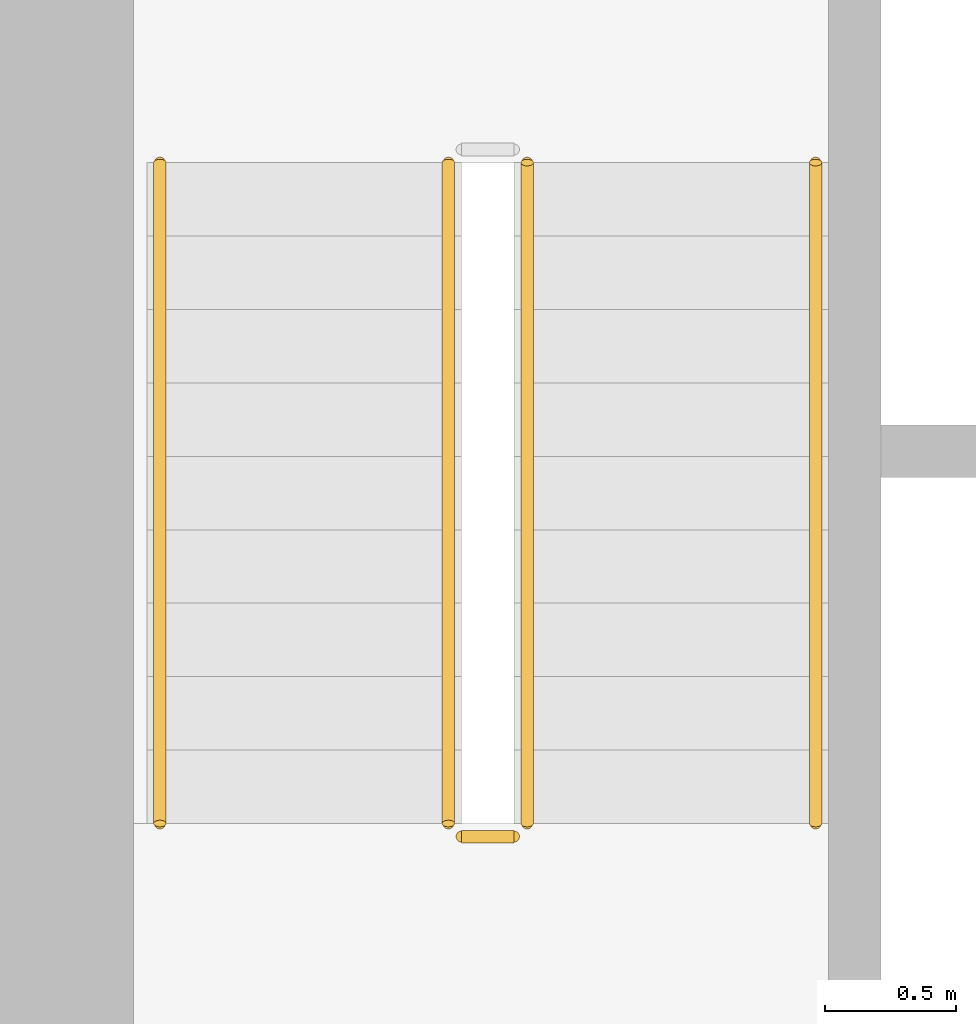
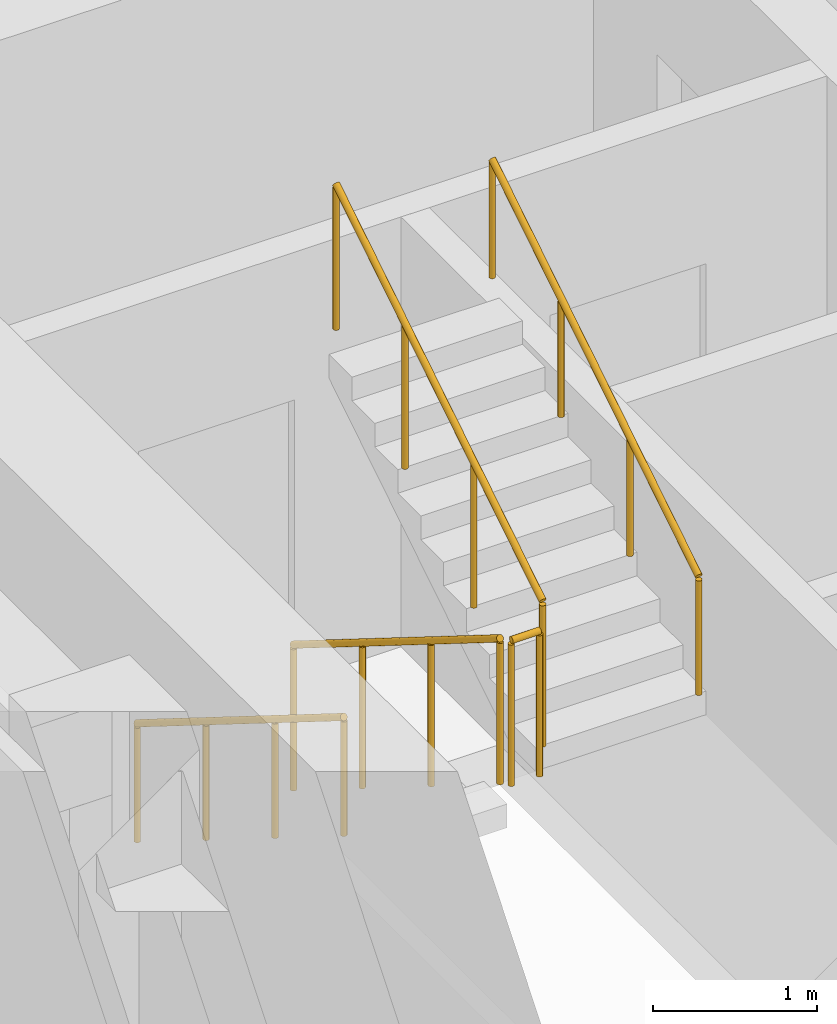
# One storey, part 14 of 21: 5 railings.
"""IFC4 building model written with IfcOpenShell, lengths in metres."""

from ifc_helpers import new_model, si_unit, direction, frame, origin, origin_2d, place, context, subcontext, project, spatial, circle, extrude, material, type_object, element, save


model = new_model("IFC4")

# Units and contexts
model_context = context("Model", 3, precision=1e-05, world=origin(), true_north=direction((0.0, 1.0)))
body_context = subcontext(model_context, "Body", "Model", "MODEL_VIEW")
ifc_project = project(units=[si_unit("LENGTHUNIT", "METRE"), si_unit("AREAUNIT", "SQUARE_METRE"), si_unit("VOLUMEUNIT", "CUBIC_METRE"), si_unit("PLANEANGLEUNIT", "RADIAN"), si_unit("MASSUNIT", "GRAM", prefix="KILO")], contexts=[model_context])

# Site, building, storey
site_placement = place(None, origin())
site = spatial("IfcSite", under=ifc_project, at=site_placement, CompositionType="ELEMENT")
building_placement = place(site_placement, origin())
building = spatial("IfcBuilding", under=site, at=building_placement, Name="Kiln Ring Residences", CompositionType="ELEMENT")
storey_placement = place(building_placement, frame((0.0, 0.0, 216.89990234375)))
storey = spatial("IfcBuildingStorey", under=building, at=storey_placement, Name="L56", CompositionType="ELEMENT", Elevation=216.89990234375)

# Railings
ifc_material_1 = material(Name="Stainless steel", Category="steel")
railing_type_1 = type_object("IfcRailingType", Name="CORE-STAIR-GUARD", PredefinedType="GUARDRAIL", material=ifc_material_1)
railing_1_placement = place(storey_placement, frame((-22.25, 8.39990234375, 0.175048828125)))
element("IfcRailing", 1, at=railing_1_placement, inside=storey, type_object=railing_type_1, Name="L56 W-STN stair guard 1", PredefinedType="GUARDRAIL", context=body_context, shape_type="SweptSolid", body=[
    extrude(circle(Radius=0.02392578125, at=origin_2d()), frame((0.0, 0.0, 1.076171875), z_axis=(0.0, -0.848007534815, 0.529984170421), x_axis=(1.0, 0.0, 0.0)), (0.0, 0.0, 1.0), 2.9716796875),
    extrude(circle(Radius=0.02099609375, at=origin_2d()), origin(), (0.0, 0.0, 1.0), 1.052001953125),
    extrude(circle(Radius=0.02099609375, at=origin_2d()), frame((0.0, -0.840087890625, 0.52490234375)), (0.0, 0.0, 1.0), 1.052001953125),
    extrude(circle(Radius=0.02099609375, at=origin_2d()), frame((0.0, -1.679931640625, 1.050048828125)), (0.0, 0.0, 1.0), 1.052001953125),
    extrude(circle(Radius=0.02099609375, at=origin_2d()), frame((0.0, -2.52001953125, 1.574951171875)), (0.0, 0.0, 1.0), 1.052001953125),
])
railing_2_placement = place(storey_placement, frame((-22.199951171875, 5.830078125, 1.75)))
element("IfcRailing", 2, at=railing_2_placement, inside=storey, type_object=railing_type_1, Name="L56 W-STN stair guard 2", PredefinedType="GUARDRAIL", context=body_context, shape_type="SweptSolid", body=[
    extrude(circle(Radius=0.02392578125, at=origin_2d()), frame((0.0, 0.0, 1.076171875), z_axis=(1.0, 0.0, 0.0), x_axis=(0.0, 1.0, 0.0)), (0.0, 0.0, 1.0), 0.199951171875),
    extrude(circle(Radius=0.02099609375, at=origin_2d()), origin(), (0.0, 0.0, 1.0), 1.052001953125),
    extrude(circle(Radius=0.02099609375, at=origin_2d()), frame((0.199951171875, 0.0, 0.0)), (0.0, 0.0, 1.0), 1.052001953125),
])
railing_3_placement = place(storey_placement, frame((-21.949951171875, 5.8798828125, 1.925048828125)))
element("IfcRailing", 3, at=railing_3_placement, inside=storey, type_object=railing_type_1, Name="L56 W-STN stair guard 3", PredefinedType="GUARDRAIL", context=body_context, shape_type="SweptSolid", body=[
    extrude(circle(Radius=0.02392578125, at=origin_2d()), frame((0.0, 0.0, 1.076171875), z_axis=(0.0, 0.848007534815, 0.529984170421), x_axis=(-1.0, 0.0, 0.0)), (0.0, 0.0, 1.0), 2.9716796875),
    extrude(circle(Radius=0.02099609375, at=origin_2d()), origin(), (0.0, 0.0, 1.0), 1.052001953125),
    extrude(circle(Radius=0.02099609375, at=origin_2d()), frame((0.0, 0.840087890625, 0.52490234375)), (0.0, 0.0, 1.0), 1.052001953125),
    extrude(circle(Radius=0.02099609375, at=origin_2d()), frame((0.0, 1.679931640625, 1.050048828125)), (0.0, 0.0, 1.0), 1.052001953125),
    extrude(circle(Radius=0.02099609375, at=origin_2d()), frame((0.0, 2.52001953125, 1.574951171875)), (0.0, 0.0, 1.0), 1.052001953125),
])
ifc_material_2 = material(Name="Stainless steel", Category="steel")
railing_type_2 = type_object("IfcRailingType", Name="CORE-STAIR-HANDRAIL", PredefinedType="HANDRAIL", material=ifc_material_2)
railing_4_placement = place(storey_placement, frame((-23.35009765625, 8.39990234375, 0.175048828125)))
element("IfcRailing", 4, at=railing_4_placement, inside=storey, type_object=railing_type_2, Name="L56 W-STN stair handrail 1", PredefinedType="HANDRAIL", context=body_context, shape_type="SweptSolid", body=[
    extrude(circle(Radius=0.02392578125, at=origin_2d()), frame((0.0, 0.0, 0.8759765625), z_axis=(0.0, -0.848007534815, 0.529984170421), x_axis=(1.0, 0.0, 0.0)), (0.0, 0.0, 1.0), 2.9716796875),
    extrude(circle(Radius=0.02099609375, at=origin_2d()), origin(), (0.0, 0.0, 1.0), 0.851806640625),
    extrude(circle(Radius=0.02099609375, at=origin_2d()), frame((0.0, -0.840087890625, 0.52490234375)), (0.0, 0.0, 1.0), 0.851806640625),
    extrude(circle(Radius=0.02099609375, at=origin_2d()), frame((0.0, -1.679931640625, 1.050048828125)), (0.0, 0.0, 1.0), 0.851806640625),
    extrude(circle(Radius=0.02099609375, at=origin_2d()), frame((0.0, -2.52001953125, 1.574951171875)), (0.0, 0.0, 1.0), 0.851806640625),
])
railing_5_placement = place(storey_placement, frame((-20.85009765625, 5.8798828125, 1.925048828125)))
element("IfcRailing", 5, at=railing_5_placement, inside=storey, type_object=railing_type_2, Name="L56 W-STN stair handrail 2", PredefinedType="HANDRAIL", context=body_context, shape_type="SweptSolid", body=[
    extrude(circle(Radius=0.02392578125, at=origin_2d()), frame((0.0, 0.0, 0.8759765625), z_axis=(0.0, 0.848007534815, 0.529984170421), x_axis=(-1.0, 0.0, 0.0)), (0.0, 0.0, 1.0), 2.9716796875),
    extrude(circle(Radius=0.02099609375, at=origin_2d()), origin(), (0.0, 0.0, 1.0), 0.851806640625),
    extrude(circle(Radius=0.02099609375, at=origin_2d()), frame((0.0, 0.840087890625, 0.52490234375)), (0.0, 0.0, 1.0), 0.851806640625),
    extrude(circle(Radius=0.02099609375, at=origin_2d()), frame((0.0, 1.679931640625, 1.050048828125)), (0.0, 0.0, 1.0), 0.851806640625),
    extrude(circle(Radius=0.02099609375, at=origin_2d()), frame((0.0, 2.52001953125, 1.574951171875)), (0.0, 0.0, 1.0), 0.851806640625),
])

save(model, "model.ifc")
